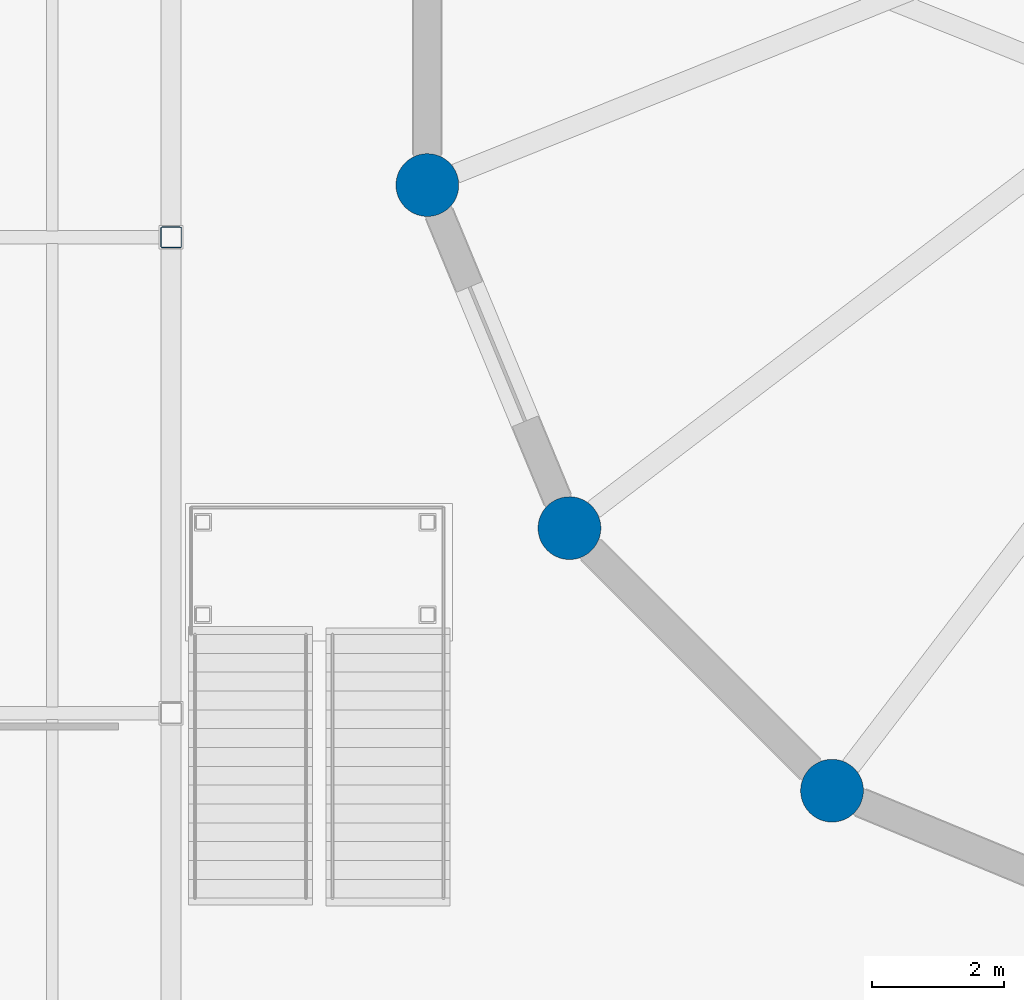
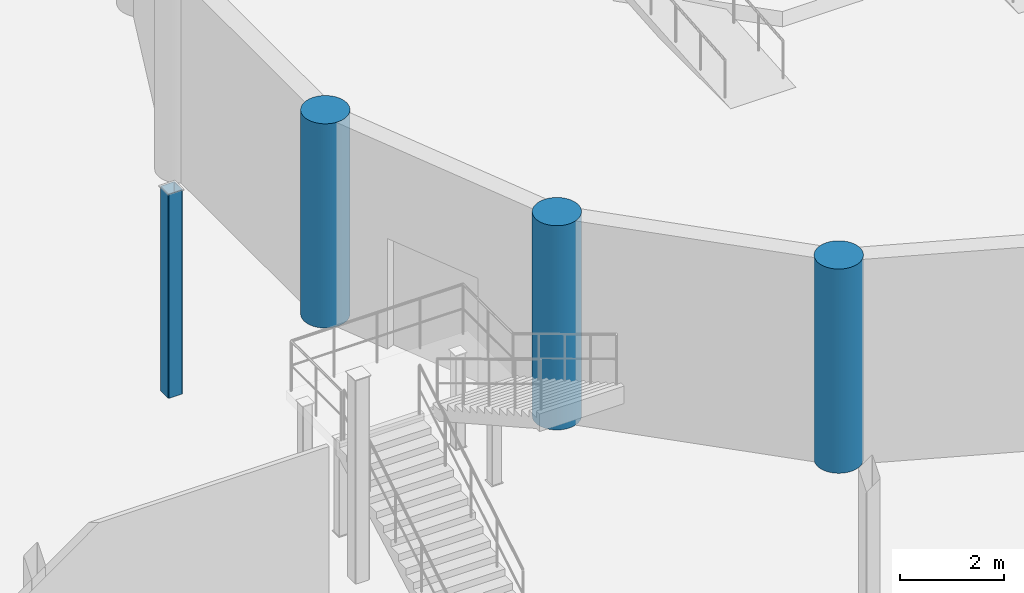
# One storey, part 5 of 77: 4 columns.
"""IFC4 building model written with IfcOpenShell, lengths in metres."""

from ifc_helpers import new_model, si_unit, direction, frame, origin, origin_2d, place, context, subcontext, project, spatial, hollow_rectangle, circle, extrude, material, material_profile, profile_set, type_object, element, save


model = new_model("IFC4")

# Units and contexts
model_context = context("Model", 3, precision=1e-05, world=origin(), true_north=direction((0.0, 1.0)))
body_context = subcontext(model_context, "Body", "Model", "MODEL_VIEW")
ifc_project = project(units=[si_unit("LENGTHUNIT", "METRE"), si_unit("AREAUNIT", "SQUARE_METRE"), si_unit("VOLUMEUNIT", "CUBIC_METRE"), si_unit("PLANEANGLEUNIT", "RADIAN"), si_unit("MASSUNIT", "GRAM", prefix="KILO")], contexts=[model_context])

# Site, building, storey
site_placement = place(None, origin())
site = spatial("IfcSite", under=ifc_project, at=site_placement, CompositionType="ELEMENT")
building_placement = place(site_placement, origin())
building = spatial("IfcBuilding", under=site, at=building_placement, Name="Qiaolan Assembly House", CompositionType="ELEMENT")
storey_placement = place(building_placement, frame((0.0, 0.0, 5.39990234375)))
storey = spatial("IfcBuildingStorey", under=building, at=storey_placement, Name="L01", CompositionType="ELEMENT", Elevation=5.39990234375)

# Columns
ifc_material_1 = material(Name="Concrete C50/60", Category="concrete")
ifc_material_profile_1 = material_profile(ifc_material_1, circle(Radius=0.47509765625, at=origin_2d()), Name="CIRC D950")
ifc_profile_set_1 = profile_set([ifc_material_profile_1], Name="Concrete C50/60")
column_type_1 = type_object("IfcColumnType", Name="COL-DRUM-D950", PredefinedType="COLUMN", material=ifc_profile_set_1)
for number, where, z_axis, x_axis, name in (
    (1, (54.276611328125, 58.390625, 0.0), (0.0, 0.0, 1.0), (1.0, 0.0, 0.0), "DC-01 chamber drum pier 9 L01"),
    (2, (56.4267578125, 53.19970703125, 0.0), (0.0, 0.0, 1.0), (1.0, 0.0, 0.0), "DC-01 chamber drum pier 10 L01"),
    (3, (60.39990234375, 49.226806640625, 0.0), (0.0, 0.0, 1.0), (1.0, 0.0, 0.0), "DC-01 chamber drum pier 11 L01"),
):
    element("IfcColumn", number, at=place(storey_placement, frame(where, z_axis=z_axis, x_axis=x_axis)), inside=storey, type_object=column_type_1, Name=name, PredefinedType="COLUMN", context=body_context, shape_type="SweptSolid", body=[
        extrude(circle(Radius=0.47509765625, at=origin_2d()), origin(), (0.0, 0.0, 1.0), 4.800048828125),
    ])
ifc_material_2 = material(Name="Steel Q355B", Category="steel")
ifc_material_profile_2 = material_profile(ifc_material_2, hollow_rectangle(XDim=0.320068359375, YDim=0.320068359375, WallThickness=0.011962890625, InnerFilletRadius=0.011962890625, OuterFilletRadius=0.02392578125, at=origin_2d()), Name="SHS 320x320x12")
ifc_profile_set_2 = profile_set([ifc_material_profile_2], Name="Steel Q355B")
column_type_2 = type_object("IfcColumnType", Name="COL-STL-SHS320", PredefinedType="COLUMN", material=ifc_profile_set_2)
column_placement = place(storey_placement, frame((50.39990234375, 57.60009765625, 0.0), z_axis=(0.0, 0.0, 1.0), x_axis=(1.0, 0.0, 0.0)))
element("IfcColumn", 4, at=column_placement, inside=storey, type_object=column_type_2, Name="SC-09 hall column L01", PredefinedType="COLUMN", context=body_context, shape_type="SweptSolid", body=[
    extrude(hollow_rectangle(XDim=0.320068359375, YDim=0.320068359375, WallThickness=0.011962890625, InnerFilletRadius=0.011962890625, OuterFilletRadius=0.02392578125, at=origin_2d()), origin(), (0.0, 0.0, 1.0), 4.800048828125),
])

save(model, "model.ifc")
